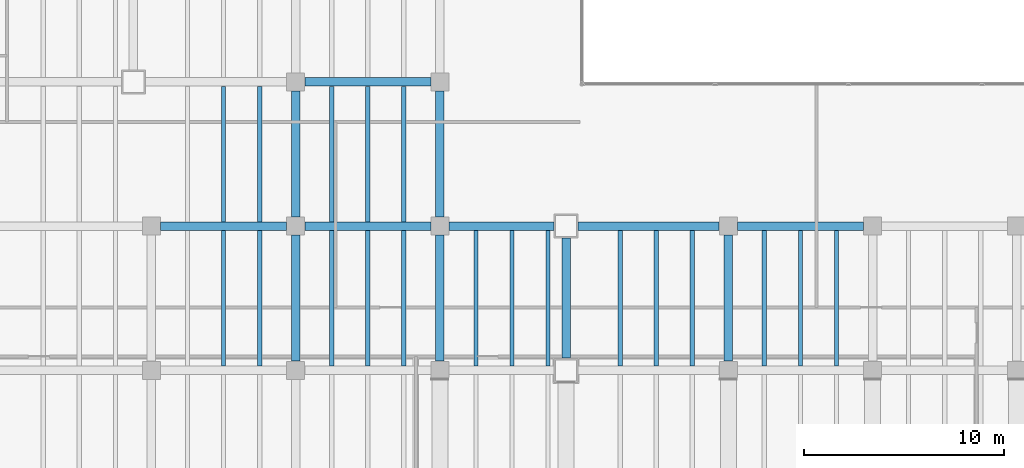
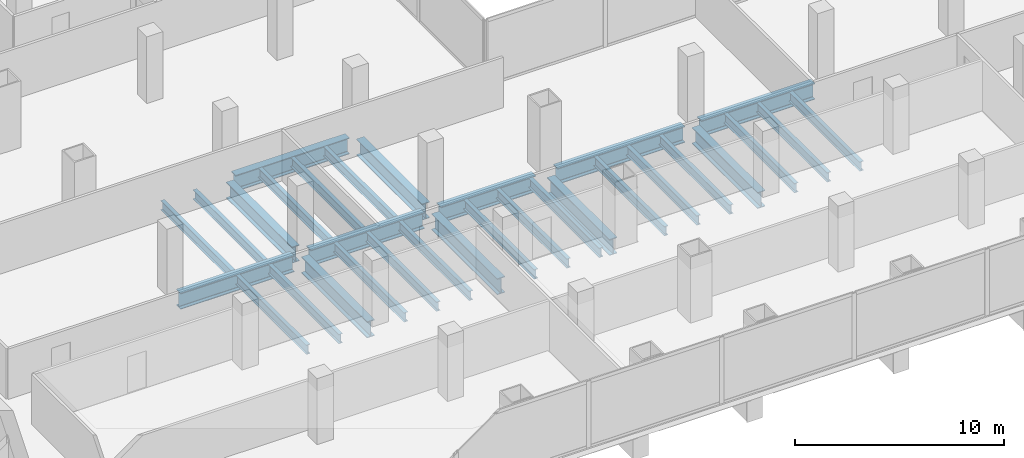
# One storey, part 9 of 34: 31 beams.
"""IFC4 building model written with IfcOpenShell, lengths in metres."""

from ifc_helpers import new_model, si_unit, direction, frame, origin, origin_2d, place, context, subcontext, project, spatial, i_section, extrude, material, material_profile, profile_set, type_object, element, save


model = new_model("IFC4")

# Units and contexts
model_context = context("Model", 3, precision=1e-05, world=origin(), true_north=direction((0.0, 1.0)))
body_context = subcontext(model_context, "Body", "Model", "MODEL_VIEW")
ifc_project = project(units=[si_unit("LENGTHUNIT", "METRE"), si_unit("AREAUNIT", "SQUARE_METRE"), si_unit("VOLUMEUNIT", "CUBIC_METRE"), si_unit("PLANEANGLEUNIT", "RADIAN"), si_unit("MASSUNIT", "GRAM", prefix="KILO")], contexts=[model_context])

# Site, building, storey
site_placement = place(None, origin())
site = spatial("IfcSite", under=ifc_project, at=site_placement, CompositionType="ELEMENT")
building_placement = place(site_placement, origin())
building = spatial("IfcBuilding", under=site, at=building_placement, Name="Cobrela Telecom Tower", CompositionType="ELEMENT")
storey_placement = place(building_placement, frame((0.0, 0.0, 5.25)))
storey = spatial("IfcBuildingStorey", under=building, at=storey_placement, Name="L01", CompositionType="ELEMENT", Elevation=5.25)

# Beams
ifc_material = material(Name="Steel ASTM A992 Grade 50", Category="steel")
ifc_material_profile_1 = material_profile(ifc_material, i_section(OverallWidth=0.424072265625, OverallDepth=0.947021484375, WebThickness=0.02392578125, FlangeThickness=0.042724609375, FilletRadius=0.02392578125, at=origin_2d()), Name="W36X302")
ifc_profile_set_1 = profile_set([ifc_material_profile_1], Name="Steel ASTM A992 Grade 50")
beam_type_1 = type_object("IfcBeamType", Name="BM-GIRD-01", PredefinedType="USERDEFINED", material=ifc_profile_set_1)
for number, where, z_axis, x_axis, name in (
    (1, (29.2548828125, 21.60009765625, -0.7734375), (1.0, 0.0, 0.0), (0.0, 1.0, 0.0), "L01 Primary Girder X24"),
    (2, (36.455078125, 21.60009765625, -0.7734375), (1.0, 0.0, 0.0), (0.0, 1.0, 0.0), "L01 Primary Girder X25"),
):
    element("IfcBeam", number, at=place(storey_placement, frame(where, z_axis=z_axis, x_axis=x_axis)), inside=storey, type_object=beam_type_1, Name=name, ObjectType="GIRDER", PredefinedType="USERDEFINED", context=body_context, shape_type="SweptSolid", body=[
        extrude(i_section(OverallWidth=0.424072265625, OverallDepth=0.947021484375, WebThickness=0.02392578125, FlangeThickness=0.042724609375, FilletRadius=0.02392578125, at=origin_2d()), origin(), (0.0, 0.0, 1.0), 6.2900390625),
    ])
beam_1_placement = place(storey_placement, frame((43.655029296875, 21.60009765625, -0.7734375), z_axis=(1.0, 0.0, 0.0), x_axis=(0.0, 1.0, 0.0)))
element("IfcBeam", 3, at=beam_1_placement, inside=storey, type_object=beam_type_1, Name="L01 Primary Girder X26", ObjectType="GIRDER", PredefinedType="USERDEFINED", context=body_context, shape_type="SweptSolid", body=[
    extrude(i_section(OverallWidth=0.424072265625, OverallDepth=0.947021484375, WebThickness=0.02392578125, FlangeThickness=0.042724609375, FilletRadius=0.02392578125, at=origin_2d()), origin(), (0.0, 0.0, 1.0), 5.239990234375),
])
beam_2_placement = place(storey_placement, frame((50.10498046875, 21.60009765625, -0.7734375), z_axis=(1.0, 0.0, 0.0), x_axis=(0.0, 1.0, 0.0)))
element("IfcBeam", 4, at=beam_2_placement, inside=storey, type_object=beam_type_1, Name="L01 Primary Girder X27", ObjectType="GIRDER", PredefinedType="USERDEFINED", context=body_context, shape_type="SweptSolid", body=[
    extrude(i_section(OverallWidth=0.424072265625, OverallDepth=0.947021484375, WebThickness=0.02392578125, FlangeThickness=0.042724609375, FilletRadius=0.02392578125, at=origin_2d()), origin(), (0.0, 0.0, 1.0), 7.0400390625),
])
for number, where, z_axis, x_axis, name in (
    (5, (58.054931640625, 21.60009765625, -0.7734375), (1.0, 0.0, 0.0), (0.0, 1.0, 0.0), "L01 Primary Girder X28"),
    (6, (36.455078125, 28.800048828125, -0.7734375), (1.0, 0.0, 0.0), (0.0, 1.0, 0.0), "L01 Primary Girder X34"),
    (7, (36.0, 14.85498046875, -0.7734375), (0.0, 1.0, 0.0), (-1.0, 0.0, 0.0), "L01 Primary Girder Y67"),
    (8, (36.0, 22.054931640625, -0.7734375), (0.0, 1.0, 0.0), (-1.0, 0.0, 0.0), "L01 Primary Girder Y68"),
    (9, (43.199951171875, 14.85498046875, -0.7734375), (0.0, 1.0, 0.0), (-1.0, 0.0, 0.0), "L01 Primary Girder Y72"),
    (10, (43.199951171875, 22.054931640625, -0.7734375), (0.0, 1.0, 0.0), (-1.0, 0.0, 0.0), "L01 Primary Girder Y73"),
):
    element("IfcBeam", number, at=place(storey_placement, frame(where, z_axis=z_axis, x_axis=x_axis)), inside=storey, type_object=beam_type_1, Name=name, ObjectType="GIRDER", PredefinedType="USERDEFINED", context=body_context, shape_type="SweptSolid", body=[
        extrude(i_section(OverallWidth=0.424072265625, OverallDepth=0.947021484375, WebThickness=0.02392578125, FlangeThickness=0.042724609375, FilletRadius=0.02392578125, at=origin_2d()), origin(), (0.0, 0.0, 1.0), 6.2900390625),
    ])
beam_3_placement = place(storey_placement, frame((49.5, 15.0048828125, -0.7734375), z_axis=(0.0, 1.0, 0.0), x_axis=(-1.0, 0.0, 0.0)))
element("IfcBeam", 11, at=beam_3_placement, inside=storey, type_object=beam_type_1, Name="L01 Primary Girder Y77", ObjectType="GIRDER", PredefinedType="USERDEFINED", context=body_context, shape_type="SweptSolid", body=[
    extrude(i_section(OverallWidth=0.424072265625, OverallDepth=0.947021484375, WebThickness=0.02392578125, FlangeThickness=0.042724609375, FilletRadius=0.02392578125, at=origin_2d()), origin(), (0.0, 0.0, 1.0), 5.990234375),
])
beam_4_placement = place(storey_placement, frame((57.60009765625, 14.85498046875, -0.7734375), z_axis=(0.0, 1.0, 0.0), x_axis=(-1.0, 0.0, 0.0)))
element("IfcBeam", 12, at=beam_4_placement, inside=storey, type_object=beam_type_1, Name="L01 Primary Girder Y78", ObjectType="GIRDER", PredefinedType="USERDEFINED", context=body_context, shape_type="SweptSolid", body=[
    extrude(i_section(OverallWidth=0.424072265625, OverallDepth=0.947021484375, WebThickness=0.02392578125, FlangeThickness=0.042724609375, FilletRadius=0.02392578125, at=origin_2d()), origin(), (0.0, 0.0, 1.0), 6.2900390625),
])
ifc_material_profile_2 = material_profile(ifc_material, i_section(OverallWidth=0.212890625, OverallDepth=0.549072265625, WebThickness=0.0146484375, FlangeThickness=0.023681640625, FilletRadius=0.013916015625, at=origin_2d()), Name="W21X93")
ifc_profile_set_2 = profile_set([ifc_material_profile_2], Name="Steel ASTM A992 Grade 50")
beam_type_2 = type_object("IfcBeamType", Name="BM-JOIST-01", PredefinedType="JOIST", material=ifc_profile_set_2)
for number, where, z_axis, x_axis, name in (
    (13, (32.39990234375, 14.616943359375, -0.574462890625), (0.0, 1.0, 0.0), (-1.0, 0.0, 0.0), "L01 Secondary Composite Floor Beam J60"),
    (14, (32.39990234375, 21.81689453125, -0.574462890625), (0.0, 1.0, 0.0), (-1.0, 0.0, 0.0), "L01 Secondary Composite Floor Beam J61"),
    (15, (34.199951171875, 14.616943359375, -0.574462890625), (0.0, 1.0, 0.0), (-1.0, 0.0, 0.0), "L01 Secondary Composite Floor Beam J65"),
    (16, (34.199951171875, 21.81689453125, -0.574462890625), (0.0, 1.0, 0.0), (-1.0, 0.0, 0.0), "L01 Secondary Composite Floor Beam J66"),
    (17, (37.800048828125, 14.616943359375, -0.574462890625), (0.0, 1.0, 0.0), (-1.0, 0.0, 0.0), "L01 Secondary Composite Floor Beam J71"),
    (18, (37.800048828125, 21.81689453125, -0.574462890625), (0.0, 1.0, 0.0), (-1.0, 0.0, 0.0), "L01 Secondary Composite Floor Beam J72"),
    (19, (39.60009765625, 14.616943359375, -0.574462890625), (0.0, 1.0, 0.0), (-1.0, 0.0, 0.0), "L01 Secondary Composite Floor Beam J77"),
    (20, (39.60009765625, 21.81689453125, -0.574462890625), (0.0, 1.0, 0.0), (-1.0, 0.0, 0.0), "L01 Secondary Composite Floor Beam J78"),
    (21, (41.39990234375, 14.616943359375, -0.574462890625), (0.0, 1.0, 0.0), (-1.0, 0.0, 0.0), "L01 Secondary Composite Floor Beam J83"),
    (22, (41.39990234375, 21.81689453125, -0.574462890625), (0.0, 1.0, 0.0), (-1.0, 0.0, 0.0), "L01 Secondary Composite Floor Beam J84"),
    (23, (45.0, 14.616943359375, -0.574462890625), (0.0, 1.0, 0.0), (-1.0, 0.0, 0.0), "L01 Secondary Composite Floor Beam J89"),
    (24, (46.800048828125, 14.616943359375, -0.574462890625), (0.0, 1.0, 0.0), (-1.0, 0.0, 0.0), "L01 Secondary Composite Floor Beam J91"),
    (25, (48.60009765625, 14.616943359375, -0.574462890625), (0.0, 1.0, 0.0), (-1.0, 0.0, 0.0), "L01 Secondary Composite Floor Beam J93"),
    (26, (52.199951171875, 14.616943359375, -0.574462890625), (0.0, 1.0, 0.0), (-1.0, 0.0, 0.0), "L01 Secondary Composite Floor Beam J95"),
    (27, (54.0, 14.616943359375, -0.574462890625), (0.0, 1.0, 0.0), (-1.0, 0.0, 0.0), "L01 Secondary Composite Floor Beam J97"),
    (28, (55.800048828125, 14.616943359375, -0.574462890625), (0.0, 1.0, 0.0), (-1.0, 0.0, 0.0), "L01 Secondary Composite Floor Beam J99"),
    (29, (59.39990234375, 14.616943359375, -0.574462890625), (0.0, 1.0, 0.0), (-1.0, 0.0, 0.0), "L01 Secondary Composite Floor Beam J101"),
    (30, (61.199951171875, 14.616943359375, -0.574462890625), (0.0, 1.0, 0.0), (-1.0, 0.0, 0.0), "L01 Secondary Composite Floor Beam J103"),
    (31, (63.0, 14.616943359375, -0.574462890625), (0.0, 1.0, 0.0), (-1.0, 0.0, 0.0), "L01 Secondary Composite Floor Beam J105"),
):
    element("IfcBeam", number, at=place(storey_placement, frame(where, z_axis=z_axis, x_axis=x_axis)), inside=storey, type_object=beam_type_2, Name=name, PredefinedType="JOIST", context=body_context, shape_type="SweptSolid", body=[
        extrude(i_section(OverallWidth=0.212890625, OverallDepth=0.549072265625, WebThickness=0.0146484375, FlangeThickness=0.023681640625, FilletRadius=0.013916015625, at=origin_2d()), origin(), (0.0, 0.0, 1.0), 6.76611328125),
    ])

save(model, "model.ifc")
